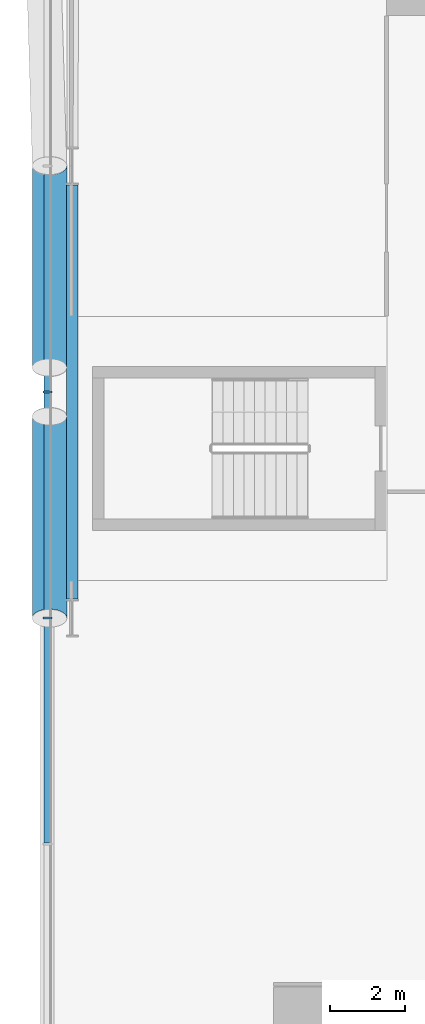
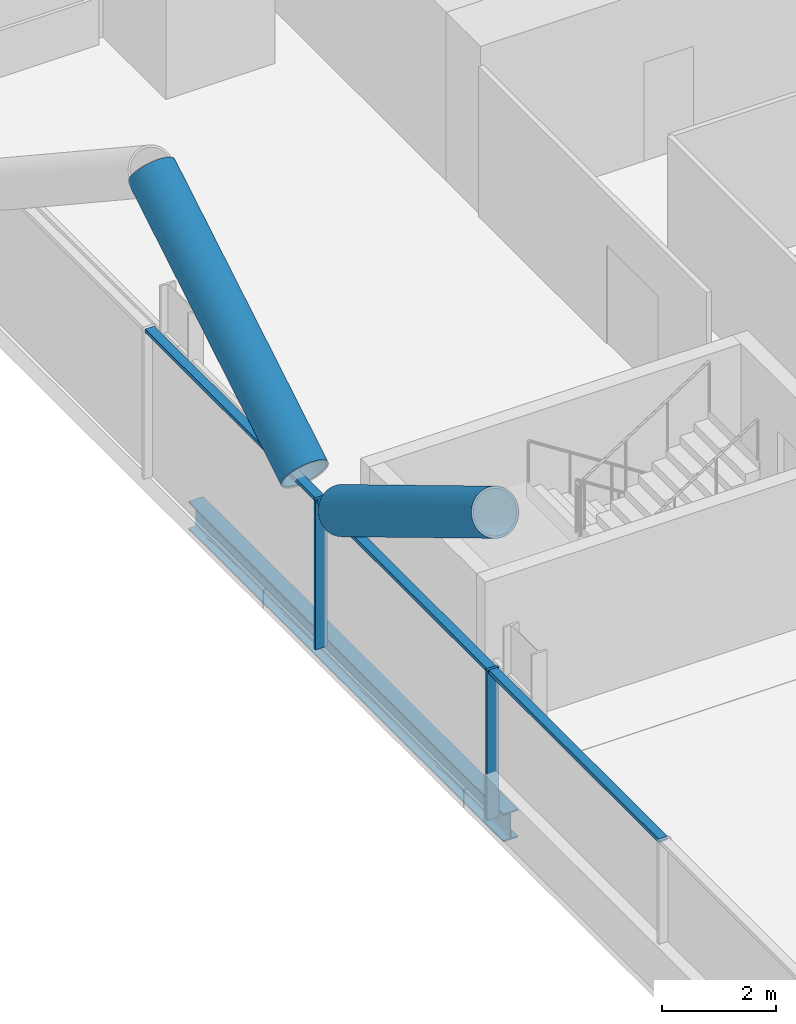
# One storey, part 5 of 27: 7 members, 1 beam, 1 element without a shape of its own.
"""IFC4 building model written with IfcOpenShell, lengths in metres."""

from ifc_helpers import new_model, si_unit, direction, frame, origin, origin_2d, place, context, subcontext, project, spatial, rectangle, hollow_circle, i_section, extrude, material, material_profile, profile_set, type_object, element, aggregate, save


model = new_model("IFC4")

# Units and contexts
model_context = context("Model", 3, precision=1e-05, world=origin(), true_north=direction((0.0, 1.0)))
body_context = subcontext(model_context, "Body", "Model", "MODEL_VIEW")
ifc_project = project(units=[si_unit("LENGTHUNIT", "METRE"), si_unit("AREAUNIT", "SQUARE_METRE"), si_unit("VOLUMEUNIT", "CUBIC_METRE"), si_unit("PLANEANGLEUNIT", "RADIAN"), si_unit("MASSUNIT", "GRAM", prefix="KILO")], contexts=[model_context])

# Site, building, storey
site_placement = place(None, origin())
site = spatial("IfcSite", under=ifc_project, at=site_placement, CompositionType="ELEMENT")
building_placement = place(site_placement, origin())
building = spatial("IfcBuilding", under=site, at=building_placement, Name="Wharfspan Tower", CompositionType="ELEMENT")
storey_placement = place(building_placement, frame((0.0, 0.0, 77.5)))
storey = spatial("IfcBuildingStorey", under=building, at=storey_placement, Name="L16", CompositionType="ELEMENT", Elevation=77.5)

# Beam
ifc_material_1 = material(Name="Steel S355J2", Category="steel")
ifc_material_profile_1 = material_profile(ifc_material_1, i_section(OverallWidth=0.300049, OverallDepth=0.600098, WebThickness=0.015381, FlangeThickness=0.030029, FilletRadius=0.0271, at=origin_2d()))
ifc_profile_set_1 = profile_set([ifc_material_profile_1], Name="Steel S355J2")
beam_type = type_object("IfcBeamType", Name="Edge beam HEB 600", PredefinedType="SPANDREL", material=ifc_profile_set_1)
beam_placement = place(storey_placement, frame((0.659912, 29.5, -0.699951), z_axis=(0.0, -1.0, 0.0), x_axis=(1.0, 0.0, 0.0)))
element("IfcBeam", 1, at=beam_placement, inside=storey, type_object=beam_type, Name="Edge beam W L16 PW.1 to PW.2", PredefinedType="SPANDREL", context=body_context, shape_type="SweptSolid", body=[
    extrude(i_section(OverallWidth=0.300049, OverallDepth=0.600098, WebThickness=0.015381, FlangeThickness=0.030029, FilletRadius=0.0271, at=origin_2d()), origin(), (0.0, 0.0, 1.0), 11.0),
])

# Curtain wall, members
ifc_material_2 = material(Name="Aluminium 6063-T6", Category="aluminium")
curtain_wall_type = type_object("IfcCurtainWallType", Name="CURTAIN WALL PROW AND END", PredefinedType="NOTDEFINED", material=ifc_material_2)
curtain_wall_placement = place(storey_placement, origin())
curtain_wall = element("IfcCurtainWall", 2, at=curtain_wall_placement, inside=storey, type_object=curtain_wall_type, Name="Curtain wall W", PredefinedType="NOTDEFINED")
ifc_material_profile_2 = material_profile(ifc_material_2, rectangle(XDim=0.23999, YDim=0.060059, at=origin_2d()))
ifc_profile_set_2 = profile_set([ifc_material_profile_2], Name="Aluminium 6063-T6")
member_type_1 = type_object("IfcMemberType", Name="MULLION PROW AND END 60x240", PredefinedType="MULLION", material=ifc_profile_set_2)
member_1_placement = place(storey_placement, frame((0.0, 24.0, 0.0), z_axis=(0.0, 0.0, 1.0), x_axis=(1.0, 0.0, 0.0)))
member_1 = element("IfcMember", 3, at=member_1_placement, type_object=member_type_1, Name="Curtain wall W mullion 4", PredefinedType="MULLION", context=body_context, shape_type="SweptSolid", body=[
    extrude(rectangle(XDim=0.23999, YDim=0.060059, at=origin_2d()), origin(), (0.0, 0.0, 1.0), 3.199951),
])
member_2_placement = place(storey_placement, frame((0.0, 18.0, 0.0), z_axis=(0.0, 0.0, 1.0), x_axis=(1.0, 0.0, 0.0)))
member_2 = element("IfcMember", 4, at=member_2_placement, type_object=member_type_1, Name="Curtain wall W mullion 5", PredefinedType="MULLION", context=body_context, shape_type="SweptSolid", body=[
    extrude(rectangle(XDim=0.23999, YDim=0.060059, at=origin_2d()), origin(), (0.0, 0.0, 1.0), 3.199951),
])

# Members
ifc_material_3 = material(Name="Steel S460NH", Category="steel")
ifc_material_profile_3 = material_profile(ifc_material_3, hollow_circle(Radius=0.457031, WallThickness=0.040039, at=origin_2d()))
ifc_profile_set_3 = profile_set([ifc_material_profile_3], Name="Steel S460NH")
member_type_2 = type_object("IfcMemberType", Name="Mega brace CHS 914x40", PredefinedType="BRACE", material=ifc_profile_set_3)
for number, where, z_axis, x_axis, name in (
    (5, (0.054932, 23.350098, 3.289795), (0.0, -0.857483, 0.514513), (1.0, 0.0, 0.0), "Mega brace W3 L16 part 2"),
    (6, (0.054932, 24.649902, 3.289795), (0.0, 0.857483, 0.514513), (-1.0, 0.0, 0.0), "Mega brace W3 L16 part 4"),
):
    element("IfcMember", number, at=place(storey_placement, frame(where, z_axis=z_axis, x_axis=x_axis)), inside=storey, type_object=member_type_2, Name=name, PredefinedType="BRACE", context=body_context, shape_type="SweptSolid", body=[
        extrude(hollow_circle(Radius=0.457031, WallThickness=0.040039, at=origin_2d()), origin(), (0.0, 0.0, 1.0), 6.239258),
    ])

# Member
ifc_material_profile_4 = material_profile(ifc_material_2, rectangle(XDim=0.179932, YDim=0.080078, at=origin_2d()))
ifc_profile_set_4 = profile_set([ifc_material_profile_4], Name="Aluminium 6063-T6")
member_type_3 = type_object("IfcMemberType", Name="TRANSOM PROW AND END 80x180", PredefinedType="USERDEFINED", material=ifc_profile_set_4)
member_3_placement = place(storey_placement, frame((0.0, 29.969971, 3.159912), z_axis=(0.0, -1.0, 0.0), x_axis=(1.0, 0.0, 0.0)))
member_3 = element("IfcMember", 7, at=member_3_placement, type_object=member_type_3, Name="Curtain wall W transom 3", ObjectType="TRANSOM", PredefinedType="USERDEFINED", context=body_context, shape_type="SweptSolid", body=[
    extrude(rectangle(XDim=0.179932, YDim=0.080078, at=origin_2d()), origin(), (0.0, 0.0, 1.0), 5.939941),
])

member_4_placement = place(storey_placement, frame((0.0, 23.969971, 3.159912), z_axis=(0.0, -1.0, 0.0), x_axis=(1.0, 0.0, 0.0)))
member_4 = element("IfcMember", 8, at=member_4_placement, type_object=member_type_3, Name="Curtain wall W transom 4", ObjectType="TRANSOM", PredefinedType="USERDEFINED", context=body_context, shape_type="SweptSolid", body=[
    extrude(rectangle(XDim=0.179932, YDim=0.080078, at=origin_2d()), origin(), (0.0, 0.0, 1.0), 5.939941),
])

member_5_placement = place(storey_placement, frame((0.0, 17.969971, 3.159912), z_axis=(0.0, -1.0, 0.0), x_axis=(1.0, 0.0, 0.0)))
member_5 = element("IfcMember", 9, at=member_5_placement, type_object=member_type_3, Name="Curtain wall W transom 5", ObjectType="TRANSOM", PredefinedType="USERDEFINED", context=body_context, shape_type="SweptSolid", body=[
    extrude(rectangle(XDim=0.179932, YDim=0.080078, at=origin_2d()), origin(), (0.0, 0.0, 1.0), 5.939941),
])

aggregate(curtain_wall, [member_1, member_2, member_3, member_4, member_5])

save(model, "model.ifc")
